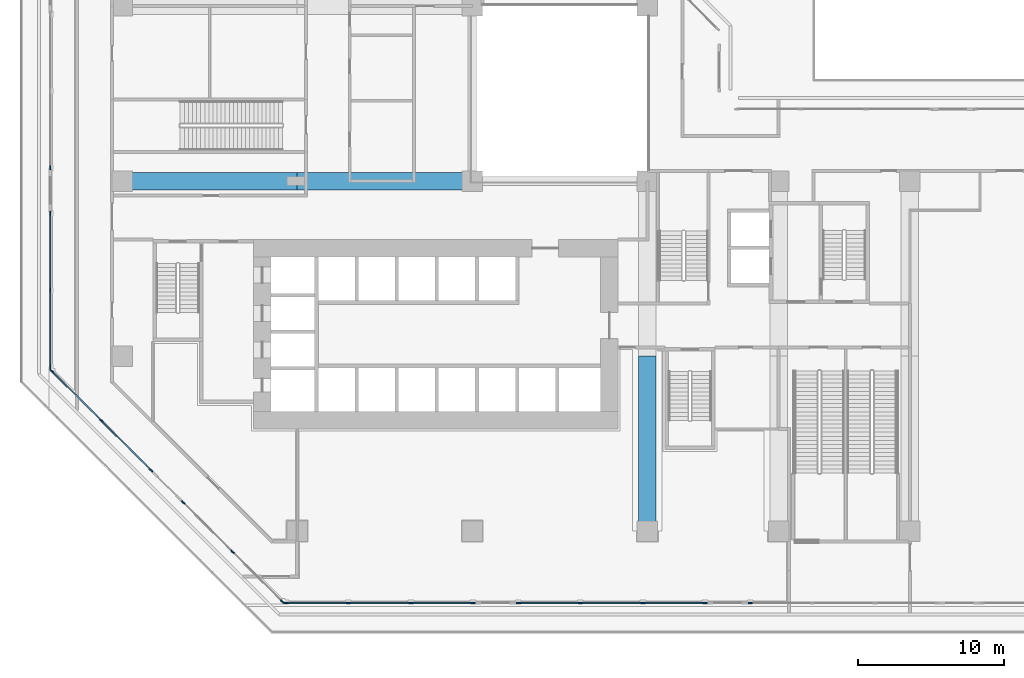
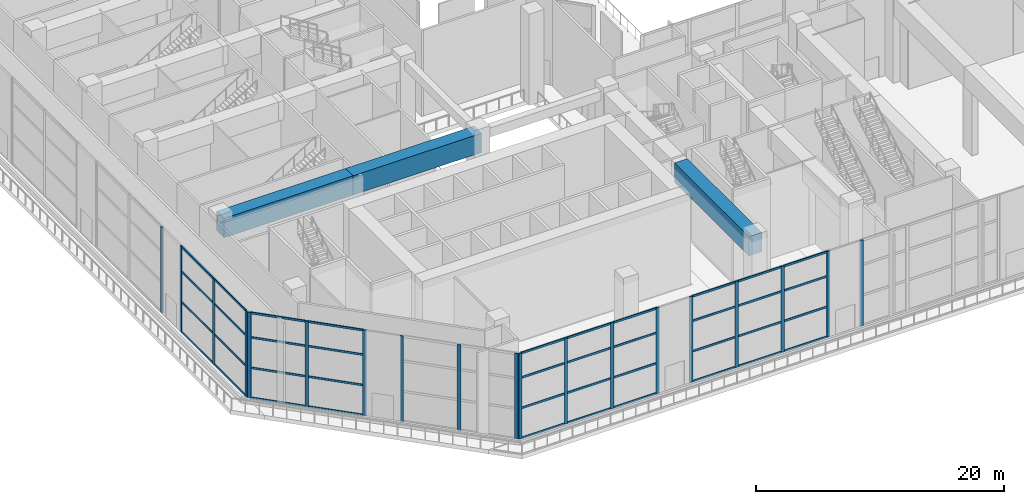
# One storey, part 2 of 28: 59 members, 3 beams, 7 elements without a shape of their own.
"""IFC4 building model written with IfcOpenShell, lengths in metres."""

from ifc_helpers import new_model, si_unit, direction, frame, frame_2d, origin, origin_2d, place, context, subcontext, project, spatial, rectangle, extrude, material, layer, layer_set, material_profile, profile_set, type_object, element, aggregate, save


model = new_model("IFC4")

# Units and contexts
model_context = context("Model", 3, precision=1e-05, world=origin(), true_north=direction((0.0, 1.0)))
body_context = subcontext(model_context, "Body", "Model", "MODEL_VIEW")
ifc_project = project(units=[si_unit("LENGTHUNIT", "METRE"), si_unit("AREAUNIT", "SQUARE_METRE"), si_unit("VOLUMEUNIT", "CUBIC_METRE"), si_unit("PLANEANGLEUNIT", "RADIAN"), si_unit("MASSUNIT", "GRAM", prefix="KILO")], contexts=[model_context])

# Site, building, storey
site_placement = place(None, origin())
site = spatial("IfcSite", under=ifc_project, at=site_placement, CompositionType="ELEMENT")
building_placement = place(site_placement, origin())
building = spatial("IfcBuilding", under=site, at=building_placement, Name="Chenar Terraces", CompositionType="ELEMENT")
storey_placement = place(building_placement, frame((0.0, 0.0, 26.39990234375)))
storey = spatial("IfcBuildingStorey", under=building, at=storey_placement, Name="L05", CompositionType="ELEMENT", Elevation=26.39990234375)

# Curtain wall, member
ifc_material_1 = material(Name="Aluminium framed glazing", Category="aluminium")
ifc_layer = layer(ifc_material_1, 0.14990234375)
ifc_layer_set = layer_set([ifc_layer], Name="Aluminium framed glazing")
curtain_wall_type = type_object("IfcCurtainWallType", Name="Hall curtain wall", PredefinedType="NOTDEFINED", material=ifc_layer_set)
placement = place(storey_placement, origin())
curtain_wall_1 = element("IfcCurtainWall", 1, at=placement, inside=storey, type_object=curtain_wall_type, Name="Hall curtain wall", PredefinedType="NOTDEFINED")
ifc_material_2 = material(Name="Aluminium", Category="aluminium")
ifc_material_profile_1 = material_profile(ifc_material_2, rectangle(XDim=0.090087890625, YDim=0.300048828125, at=origin_2d()), Name="Hall glazing mullion 90 x 300")
ifc_profile_set_1 = profile_set([ifc_material_profile_1], Name="Aluminium")
member_type_1 = type_object("IfcMemberType", Name="Hall glazing mullion 90 x 300", PredefinedType="MULLION", material=ifc_profile_set_1)
member_1_placement = place(storey_placement, frame((-4.925048828125, 24.90771484375, 0.0), z_axis=(0.0, 0.0, 1.0), x_axis=(1.0, 0.0, 0.0)))
member_1 = element("IfcMember", 2, at=member_1_placement, type_object=member_type_1, Name="CW5-10c2 mullion 3", PredefinedType="MULLION", context=body_context, shape_type="SweptSolid", body=[
    extrude(rectangle(XDim=0.090087890625, YDim=0.300048828125, at=origin_2d()), origin(), (0.0, 0.0, 1.0), 8.4501953125),
])
aggregate(curtain_wall_1, [member_1])

# Curtain wall, members
curtain_wall_2 = element("IfcCurtainWall", 3, at=placement, inside=storey, type_object=curtain_wall_type, Name="Hall curtain wall", PredefinedType="NOTDEFINED")
member_2_placement = place(storey_placement, frame((-4.925048828125, 21.792724609375, 0.0), z_axis=(0.0, 0.0, 1.0), x_axis=(1.0, 0.0, 0.0)))
member_2 = element("IfcMember", 4, at=member_2_placement, type_object=member_type_1, Name="CW5-10c3 mullion 1", PredefinedType="MULLION", context=body_context, shape_type="SweptSolid", body=[
    extrude(rectangle(XDim=0.090087890625, YDim=0.300048828125, at=origin_2d()), origin(), (0.0, 0.0, 1.0), 8.4501953125),
])
member_3_placement = place(storey_placement, frame((-4.925048828125, 16.51904296875, 0.0), z_axis=(0.0, 0.0, 1.0), x_axis=(1.0, 0.0, 0.0)))
member_3 = element("IfcMember", 5, at=member_3_placement, type_object=member_type_1, Name="CW5-10c3 mullion 2", PredefinedType="MULLION", context=body_context, shape_type="SweptSolid", body=[
    extrude(rectangle(XDim=0.090087890625, YDim=0.300048828125, at=origin_2d()), origin(), (0.0, 0.0, 1.0), 8.4501953125),
])
member_4_placement = place(storey_placement, frame((-4.925048828125, 11.245361328125, 0.0), z_axis=(0.0, 0.0, 1.0), x_axis=(1.0, 0.0, 0.0)))
member_4 = element("IfcMember", 6, at=member_4_placement, type_object=member_type_1, Name="CW5-10c3 mullion 3", PredefinedType="MULLION", context=body_context, shape_type="SweptSolid", body=[
    extrude(rectangle(XDim=0.090087890625, YDim=0.300048828125, at=origin_2d()), origin(), (0.0, 0.0, 1.0), 8.4501953125),
])

curtain_wall_3 = element("IfcCurtainWall", 7, at=placement, inside=storey, type_object=curtain_wall_type, Name="Hall curtain wall", PredefinedType="NOTDEFINED")
member_5_placement = place(storey_placement, frame((-4.80908203125, 10.96533203125, 0.0), z_axis=(0.0, 0.0, 1.0), x_axis=(0.707106781187, 0.707106781187, 0.0)))
member_5 = element("IfcMember", 8, at=member_5_placement, type_object=member_type_1, Name="CW5-11c0 mullion 1", PredefinedType="MULLION", context=body_context, shape_type="SweptSolid", body=[
    extrude(rectangle(XDim=0.090087890625, YDim=0.300048828125, at=origin_2d()), origin(), (0.0, 0.0, 1.0), 8.4501953125),
])
member_6_placement = place(storey_placement, frame((-1.416015625, 7.572509765625, 0.0), z_axis=(0.0, 0.0, 1.0), x_axis=(0.707106781187, 0.707106781187, 0.0)))
member_6 = element("IfcMember", 9, at=member_6_placement, type_object=member_type_1, Name="CW5-11c0 mullion 2", PredefinedType="MULLION", context=body_context, shape_type="SweptSolid", body=[
    extrude(rectangle(XDim=0.090087890625, YDim=0.300048828125, at=origin_2d()), origin(), (0.0, 0.0, 1.0), 8.4501953125),
])
member_7_placement = place(storey_placement, frame((1.976806640625, 4.179443359375, 0.0), z_axis=(0.0, 0.0, 1.0), x_axis=(0.707106781187, 0.707106781187, 0.0)))
member_7 = element("IfcMember", 10, at=member_7_placement, type_object=member_type_1, Name="CW5-11c0 mullion 3", PredefinedType="MULLION", context=body_context, shape_type="SweptSolid", body=[
    extrude(rectangle(XDim=0.090087890625, YDim=0.300048828125, at=origin_2d()), origin(), (0.0, 0.0, 1.0), 8.4501953125),
])

curtain_wall_4 = element("IfcCurtainWall", 11, at=placement, inside=storey, type_object=curtain_wall_type, Name="Hall curtain wall", PredefinedType="NOTDEFINED")
member_8_placement = place(storey_placement, frame((4.179443359375, 1.976806640625, 0.0), z_axis=(0.0, 0.0, 1.0), x_axis=(0.707106781187, 0.707106781187, 0.0)))
member_8 = element("IfcMember", 12, at=member_8_placement, type_object=member_type_1, Name="CW5-11c1 mullion 1", PredefinedType="MULLION", context=body_context, shape_type="SweptSolid", body=[
    extrude(rectangle(XDim=0.090087890625, YDim=0.300048828125, at=origin_2d()), origin(), (0.0, 0.0, 1.0), 8.4501953125),
])
member_9_placement = place(storey_placement, frame((7.572509765625, -1.416015625, 0.0), z_axis=(0.0, 0.0, 1.0), x_axis=(0.707106781187, 0.707106781187, 0.0)))
member_9 = element("IfcMember", 13, at=member_9_placement, type_object=member_type_1, Name="CW5-11c1 mullion 2", PredefinedType="MULLION", context=body_context, shape_type="SweptSolid", body=[
    extrude(rectangle(XDim=0.090087890625, YDim=0.300048828125, at=origin_2d()), origin(), (0.0, 0.0, 1.0), 8.4501953125),
])
member_10_placement = place(storey_placement, frame((10.96533203125, -4.80908203125, 0.0), z_axis=(0.0, 0.0, 1.0), x_axis=(0.707106781187, 0.707106781187, 0.0)))
member_10 = element("IfcMember", 14, at=member_10_placement, type_object=member_type_1, Name="CW5-11c1 mullion 3", PredefinedType="MULLION", context=body_context, shape_type="SweptSolid", body=[
    extrude(rectangle(XDim=0.090087890625, YDim=0.300048828125, at=origin_2d()), origin(), (0.0, 0.0, 1.0), 8.4501953125),
])
aggregate(curtain_wall_4, [member_8, member_9, member_10])

curtain_wall_5 = element("IfcCurtainWall", 15, at=placement, inside=storey, type_object=curtain_wall_type, Name="Hall curtain wall", PredefinedType="NOTDEFINED")
member_11_placement = place(storey_placement, frame((11.245361328125, -4.925048828125, 0.0), z_axis=(0.0, 0.0, 1.0), x_axis=(0.0, 1.0, 0.0)))
member_11 = element("IfcMember", 16, at=member_11_placement, type_object=member_type_1, Name="CW5-12c0 mullion 1", PredefinedType="MULLION", context=body_context, shape_type="SweptSolid", body=[
    extrude(rectangle(XDim=0.090087890625, YDim=0.300048828125, at=origin_2d()), origin(), (0.0, 0.0, 1.0), 8.4501953125),
])
member_12_placement = place(storey_placement, frame((15.49609375, -4.925048828125, 0.0), z_axis=(0.0, 0.0, 1.0), x_axis=(0.0, 1.0, 0.0)))
member_12 = element("IfcMember", 17, at=member_12_placement, type_object=member_type_1, Name="CW5-12c0 mullion 2", PredefinedType="MULLION", context=body_context, shape_type="SweptSolid", body=[
    extrude(rectangle(XDim=0.090087890625, YDim=0.300048828125, at=origin_2d()), origin(), (0.0, 0.0, 1.0), 8.4501953125),
])
member_13_placement = place(storey_placement, frame((19.791748046875, -4.925048828125, 0.0), z_axis=(0.0, 0.0, 1.0), x_axis=(0.0, 1.0, 0.0)))
member_13 = element("IfcMember", 18, at=member_13_placement, type_object=member_type_1, Name="CW5-12c0 mullion 3", PredefinedType="MULLION", context=body_context, shape_type="SweptSolid", body=[
    extrude(rectangle(XDim=0.090087890625, YDim=0.300048828125, at=origin_2d()), origin(), (0.0, 0.0, 1.0), 8.4501953125),
])
member_14_placement = place(storey_placement, frame((24.042724609375, -4.925048828125, 0.0), z_axis=(0.0, 0.0, 1.0), x_axis=(0.0, 1.0, 0.0)))
member_14 = element("IfcMember", 19, at=member_14_placement, type_object=member_type_1, Name="CW5-12c0 mullion 4", PredefinedType="MULLION", context=body_context, shape_type="SweptSolid", body=[
    extrude(rectangle(XDim=0.090087890625, YDim=0.300048828125, at=origin_2d()), origin(), (0.0, 0.0, 1.0), 8.4501953125),
])

curtain_wall_6 = element("IfcCurtainWall", 20, at=placement, inside=storey, type_object=curtain_wall_type, Name="Hall curtain wall", PredefinedType="NOTDEFINED")
member_15_placement = place(storey_placement, frame((27.15771484375, -4.925048828125, 0.0), z_axis=(0.0, 0.0, 1.0), x_axis=(0.0, 1.0, 0.0)))
member_15 = element("IfcMember", 21, at=member_15_placement, type_object=member_type_1, Name="CW5-12c1 mullion 1", PredefinedType="MULLION", context=body_context, shape_type="SweptSolid", body=[
    extrude(rectangle(XDim=0.090087890625, YDim=0.300048828125, at=origin_2d()), origin(), (0.0, 0.0, 1.0), 8.4501953125),
])
member_16_placement = place(storey_placement, frame((31.404296875, -4.925048828125, 0.0), z_axis=(0.0, 0.0, 1.0), x_axis=(0.0, 1.0, 0.0)))
member_16 = element("IfcMember", 22, at=member_16_placement, type_object=member_type_1, Name="CW5-12c1 mullion 2", PredefinedType="MULLION", context=body_context, shape_type="SweptSolid", body=[
    extrude(rectangle(XDim=0.090087890625, YDim=0.300048828125, at=origin_2d()), origin(), (0.0, 0.0, 1.0), 8.4501953125),
])
member_17_placement = place(storey_placement, frame((35.69580078125, -4.925048828125, 0.0), z_axis=(0.0, 0.0, 1.0), x_axis=(0.0, 1.0, 0.0)))
member_17 = element("IfcMember", 23, at=member_17_placement, type_object=member_type_1, Name="CW5-12c1 mullion 3", PredefinedType="MULLION", context=body_context, shape_type="SweptSolid", body=[
    extrude(rectangle(XDim=0.090087890625, YDim=0.300048828125, at=origin_2d()), origin(), (0.0, 0.0, 1.0), 8.4501953125),
])
member_18_placement = place(storey_placement, frame((39.9423828125, -4.925048828125, 0.0), z_axis=(0.0, 0.0, 1.0), x_axis=(0.0, 1.0, 0.0)))
member_18 = element("IfcMember", 24, at=member_18_placement, type_object=member_type_1, Name="CW5-12c1 mullion 4", PredefinedType="MULLION", context=body_context, shape_type="SweptSolid", body=[
    extrude(rectangle(XDim=0.090087890625, YDim=0.300048828125, at=origin_2d()), origin(), (0.0, 0.0, 1.0), 8.4501953125),
])

# Curtain wall, member
curtain_wall_7 = element("IfcCurtainWall", 25, at=placement, inside=storey, type_object=curtain_wall_type, Name="Hall curtain wall", PredefinedType="NOTDEFINED")
member_19_placement = place(storey_placement, frame((43.0576171875, -4.925048828125, 0.0), z_axis=(0.0, 0.0, 1.0), x_axis=(0.0, 1.0, 0.0)))
member_19 = element("IfcMember", 26, at=member_19_placement, type_object=member_type_1, Name="CW5-12c2 mullion 1", PredefinedType="MULLION", context=body_context, shape_type="SweptSolid", body=[
    extrude(rectangle(XDim=0.090087890625, YDim=0.300048828125, at=origin_2d()), origin(), (0.0, 0.0, 1.0), 8.4501953125),
])
aggregate(curtain_wall_7, [member_19])

# Member
ifc_material_3 = material(Name="Aluminium", Category="aluminium")
ifc_material_profile_2 = material_profile(ifc_material_3, rectangle(XDim=0.090087890625, YDim=0.199951171875, at=origin_2d()), Name="Hall glazing transom 90 x 200")
ifc_profile_set_2 = profile_set([ifc_material_profile_2], Name="Aluminium")
member_type_2 = type_object("IfcMemberType", Name="Hall glazing transom 90 x 200", PredefinedType="USERDEFINED", material=ifc_profile_set_2)
member_20_placement = place(storey_placement, frame((-4.925048828125, 21.74755859375, 0.045166015625), z_axis=(0.0, -1.0, 0.0), x_axis=(1.0, 0.0, 0.0)))
member_20 = element("IfcMember", 27, at=member_20_placement, type_object=member_type_2, Name="CW5-10c3 transom 1.1", ObjectType="TRANSOM", PredefinedType="USERDEFINED", context=body_context, shape_type="SweptSolid", body=[
    extrude(rectangle(XDim=0.090087890625, YDim=0.199951171875, at=origin_2d()), origin(), (0.0, 0.0, 1.0), 5.18359375),
])

member_21_placement = place(storey_placement, frame((-4.925048828125, 21.74755859375, 3.0), z_axis=(0.0, -1.0, 0.0), x_axis=(1.0, 0.0, 0.0)))
member_21 = element("IfcMember", 28, at=member_21_placement, type_object=member_type_2, Name="CW5-10c3 transom 1.2", ObjectType="TRANSOM", PredefinedType="USERDEFINED", context=body_context, shape_type="SweptSolid", body=[
    extrude(rectangle(XDim=0.090087890625, YDim=0.199951171875, at=origin_2d()), origin(), (0.0, 0.0, 1.0), 5.18359375),
])

member_22_placement = place(storey_placement, frame((-4.925048828125, 21.74755859375, 6.0), z_axis=(0.0, -1.0, 0.0), x_axis=(1.0, 0.0, 0.0)))
member_22 = element("IfcMember", 29, at=member_22_placement, type_object=member_type_2, Name="CW5-10c3 transom 1.3", ObjectType="TRANSOM", PredefinedType="USERDEFINED", context=body_context, shape_type="SweptSolid", body=[
    extrude(rectangle(XDim=0.090087890625, YDim=0.199951171875, at=origin_2d()), origin(), (0.0, 0.0, 1.0), 5.18359375),
])

member_23_placement = place(storey_placement, frame((-4.925048828125, 21.74755859375, 8.405029296875), z_axis=(0.0, -1.0, 0.0), x_axis=(1.0, 0.0, 0.0)))
member_23 = element("IfcMember", 30, at=member_23_placement, type_object=member_type_2, Name="CW5-10c3 transom 1.4", ObjectType="TRANSOM", PredefinedType="USERDEFINED", context=body_context, shape_type="SweptSolid", body=[
    extrude(rectangle(XDim=0.090087890625, YDim=0.199951171875, at=origin_2d()), origin(), (0.0, 0.0, 1.0), 5.18359375),
])

member_24_placement = place(storey_placement, frame((-4.925048828125, 16.473876953125, 0.045166015625), z_axis=(0.0, -1.0, 0.0), x_axis=(1.0, 0.0, 0.0)))
member_24 = element("IfcMember", 31, at=member_24_placement, type_object=member_type_2, Name="CW5-10c3 transom 2.1", ObjectType="TRANSOM", PredefinedType="USERDEFINED", context=body_context, shape_type="SweptSolid", body=[
    extrude(rectangle(XDim=0.090087890625, YDim=0.199951171875, at=origin_2d()), origin(), (0.0, 0.0, 1.0), 5.18359375),
])

member_25_placement = place(storey_placement, frame((-4.925048828125, 16.473876953125, 3.0), z_axis=(0.0, -1.0, 0.0), x_axis=(1.0, 0.0, 0.0)))
member_25 = element("IfcMember", 32, at=member_25_placement, type_object=member_type_2, Name="CW5-10c3 transom 2.2", ObjectType="TRANSOM", PredefinedType="USERDEFINED", context=body_context, shape_type="SweptSolid", body=[
    extrude(rectangle(XDim=0.090087890625, YDim=0.199951171875, at=origin_2d()), origin(), (0.0, 0.0, 1.0), 5.18359375),
])

member_26_placement = place(storey_placement, frame((-4.925048828125, 16.473876953125, 6.0), z_axis=(0.0, -1.0, 0.0), x_axis=(1.0, 0.0, 0.0)))
member_26 = element("IfcMember", 33, at=member_26_placement, type_object=member_type_2, Name="CW5-10c3 transom 2.3", ObjectType="TRANSOM", PredefinedType="USERDEFINED", context=body_context, shape_type="SweptSolid", body=[
    extrude(rectangle(XDim=0.090087890625, YDim=0.199951171875, at=origin_2d()), origin(), (0.0, 0.0, 1.0), 5.18359375),
])

member_27_placement = place(storey_placement, frame((-4.925048828125, 16.473876953125, 8.405029296875), z_axis=(0.0, -1.0, 0.0), x_axis=(1.0, 0.0, 0.0)))
member_27 = element("IfcMember", 34, at=member_27_placement, type_object=member_type_2, Name="CW5-10c3 transom 2.4", ObjectType="TRANSOM", PredefinedType="USERDEFINED", context=body_context, shape_type="SweptSolid", body=[
    extrude(rectangle(XDim=0.090087890625, YDim=0.199951171875, at=origin_2d()), origin(), (0.0, 0.0, 1.0), 5.18359375),
])

aggregate(curtain_wall_2, [member_2, member_3, member_4, member_20, member_21, member_22, member_23, member_24, member_25, member_26, member_27])

member_28_placement = place(storey_placement, frame((-4.77734375, 10.93359375, 0.045166015625), z_axis=(0.707106781187, -0.707106781187, 0.0), x_axis=(0.707106781187, 0.707106781187, 0.0)))
member_28 = element("IfcMember", 35, at=member_28_placement, type_object=member_type_2, Name="CW5-11c0 transom 1.1", ObjectType="TRANSOM", PredefinedType="USERDEFINED", context=body_context, shape_type="SweptSolid", body=[
    extrude(rectangle(XDim=0.090087890625, YDim=0.199951171875, at=origin_2d()), origin(), (0.0, 0.0, 1.0), 4.70849609375),
])

member_29_placement = place(storey_placement, frame((-4.77734375, 10.93359375, 3.0), z_axis=(0.707106781187, -0.707106781187, 0.0), x_axis=(0.707106781187, 0.707106781187, 0.0)))
member_29 = element("IfcMember", 36, at=member_29_placement, type_object=member_type_2, Name="CW5-11c0 transom 1.2", ObjectType="TRANSOM", PredefinedType="USERDEFINED", context=body_context, shape_type="SweptSolid", body=[
    extrude(rectangle(XDim=0.090087890625, YDim=0.199951171875, at=origin_2d()), origin(), (0.0, 0.0, 1.0), 4.70849609375),
])

member_30_placement = place(storey_placement, frame((-4.77734375, 10.93359375, 6.0), z_axis=(0.707106781187, -0.707106781187, 0.0), x_axis=(0.707106781187, 0.707106781187, 0.0)))
member_30 = element("IfcMember", 37, at=member_30_placement, type_object=member_type_2, Name="CW5-11c0 transom 1.3", ObjectType="TRANSOM", PredefinedType="USERDEFINED", context=body_context, shape_type="SweptSolid", body=[
    extrude(rectangle(XDim=0.090087890625, YDim=0.199951171875, at=origin_2d()), origin(), (0.0, 0.0, 1.0), 4.70849609375),
])

member_31_placement = place(storey_placement, frame((-4.77734375, 10.93359375, 8.405029296875), z_axis=(0.707106781187, -0.707106781187, 0.0), x_axis=(0.707106781187, 0.707106781187, 0.0)))
member_31 = element("IfcMember", 38, at=member_31_placement, type_object=member_type_2, Name="CW5-11c0 transom 1.4", ObjectType="TRANSOM", PredefinedType="USERDEFINED", context=body_context, shape_type="SweptSolid", body=[
    extrude(rectangle(XDim=0.090087890625, YDim=0.199951171875, at=origin_2d()), origin(), (0.0, 0.0, 1.0), 4.70849609375),
])

member_32_placement = place(storey_placement, frame((-1.38427734375, 7.540771484375, 0.045166015625), z_axis=(0.707106781187, -0.707106781187, 0.0), x_axis=(0.707106781187, 0.707106781187, 0.0)))
member_32 = element("IfcMember", 39, at=member_32_placement, type_object=member_type_2, Name="CW5-11c0 transom 2.1", ObjectType="TRANSOM", PredefinedType="USERDEFINED", context=body_context, shape_type="SweptSolid", body=[
    extrude(rectangle(XDim=0.090087890625, YDim=0.199951171875, at=origin_2d()), origin(), (0.0, 0.0, 1.0), 4.70849609375),
])

member_33_placement = place(storey_placement, frame((-1.38427734375, 7.540771484375, 3.0), z_axis=(0.707106781187, -0.707106781187, 0.0), x_axis=(0.707106781187, 0.707106781187, 0.0)))
member_33 = element("IfcMember", 40, at=member_33_placement, type_object=member_type_2, Name="CW5-11c0 transom 2.2", ObjectType="TRANSOM", PredefinedType="USERDEFINED", context=body_context, shape_type="SweptSolid", body=[
    extrude(rectangle(XDim=0.090087890625, YDim=0.199951171875, at=origin_2d()), origin(), (0.0, 0.0, 1.0), 4.70849609375),
])

member_34_placement = place(storey_placement, frame((-1.38427734375, 7.540771484375, 6.0), z_axis=(0.707106781187, -0.707106781187, 0.0), x_axis=(0.707106781187, 0.707106781187, 0.0)))
member_34 = element("IfcMember", 41, at=member_34_placement, type_object=member_type_2, Name="CW5-11c0 transom 2.3", ObjectType="TRANSOM", PredefinedType="USERDEFINED", context=body_context, shape_type="SweptSolid", body=[
    extrude(rectangle(XDim=0.090087890625, YDim=0.199951171875, at=origin_2d()), origin(), (0.0, 0.0, 1.0), 4.70849609375),
])

member_35_placement = place(storey_placement, frame((-1.38427734375, 7.540771484375, 8.405029296875), z_axis=(0.707106781187, -0.707106781187, 0.0), x_axis=(0.707106781187, 0.707106781187, 0.0)))
member_35 = element("IfcMember", 42, at=member_35_placement, type_object=member_type_2, Name="CW5-11c0 transom 2.4", ObjectType="TRANSOM", PredefinedType="USERDEFINED", context=body_context, shape_type="SweptSolid", body=[
    extrude(rectangle(XDim=0.090087890625, YDim=0.199951171875, at=origin_2d()), origin(), (0.0, 0.0, 1.0), 4.70849609375),
])

aggregate(curtain_wall_3, [member_5, member_6, member_7, member_28, member_29, member_30, member_31, member_32, member_33, member_34, member_35])

member_36_placement = place(storey_placement, frame((11.290283203125, -4.925048828125, 0.045166015625), z_axis=(1.0, 0.0, 0.0), x_axis=(0.0, 1.0, 0.0)))
member_36 = element("IfcMember", 43, at=member_36_placement, type_object=member_type_2, Name="CW5-12c0 transom 1.1", ObjectType="TRANSOM", PredefinedType="USERDEFINED", context=body_context, shape_type="SweptSolid", body=[
    extrude(rectangle(XDim=0.090087890625, YDim=0.199951171875, at=origin_2d()), origin(), (0.0, 0.0, 1.0), 4.160888671875),
])

member_37_placement = place(storey_placement, frame((11.290283203125, -4.925048828125, 3.0), z_axis=(1.0, 0.0, 0.0), x_axis=(0.0, 1.0, 0.0)))
member_37 = element("IfcMember", 44, at=member_37_placement, type_object=member_type_2, Name="CW5-12c0 transom 1.2", ObjectType="TRANSOM", PredefinedType="USERDEFINED", context=body_context, shape_type="SweptSolid", body=[
    extrude(rectangle(XDim=0.090087890625, YDim=0.199951171875, at=origin_2d()), origin(), (0.0, 0.0, 1.0), 4.160888671875),
])

member_38_placement = place(storey_placement, frame((11.290283203125, -4.925048828125, 6.0), z_axis=(1.0, 0.0, 0.0), x_axis=(0.0, 1.0, 0.0)))
member_38 = element("IfcMember", 45, at=member_38_placement, type_object=member_type_2, Name="CW5-12c0 transom 1.3", ObjectType="TRANSOM", PredefinedType="USERDEFINED", context=body_context, shape_type="SweptSolid", body=[
    extrude(rectangle(XDim=0.090087890625, YDim=0.199951171875, at=origin_2d()), origin(), (0.0, 0.0, 1.0), 4.160888671875),
])

member_39_placement = place(storey_placement, frame((11.290283203125, -4.925048828125, 8.405029296875), z_axis=(1.0, 0.0, 0.0), x_axis=(0.0, 1.0, 0.0)))
member_39 = element("IfcMember", 46, at=member_39_placement, type_object=member_type_2, Name="CW5-12c0 transom 1.4", ObjectType="TRANSOM", PredefinedType="USERDEFINED", context=body_context, shape_type="SweptSolid", body=[
    extrude(rectangle(XDim=0.090087890625, YDim=0.199951171875, at=origin_2d()), origin(), (0.0, 0.0, 1.0), 4.160888671875),
])

member_40_placement = place(storey_placement, frame((15.541015625, -4.925048828125, 0.045166015625), z_axis=(1.0, 0.0, 0.0), x_axis=(0.0, 1.0, 0.0)))
member_40 = element("IfcMember", 47, at=member_40_placement, type_object=member_type_2, Name="CW5-12c0 transom 2.1", ObjectType="TRANSOM", PredefinedType="USERDEFINED", context=body_context, shape_type="SweptSolid", body=[
    extrude(rectangle(XDim=0.090087890625, YDim=0.199951171875, at=origin_2d()), origin(), (0.0, 0.0, 1.0), 4.205810546875),
])

member_41_placement = place(storey_placement, frame((15.541015625, -4.925048828125, 3.0), z_axis=(1.0, 0.0, 0.0), x_axis=(0.0, 1.0, 0.0)))
member_41 = element("IfcMember", 48, at=member_41_placement, type_object=member_type_2, Name="CW5-12c0 transom 2.2", ObjectType="TRANSOM", PredefinedType="USERDEFINED", context=body_context, shape_type="SweptSolid", body=[
    extrude(rectangle(XDim=0.090087890625, YDim=0.199951171875, at=origin_2d()), origin(), (0.0, 0.0, 1.0), 4.205810546875),
])

member_42_placement = place(storey_placement, frame((15.541015625, -4.925048828125, 6.0), z_axis=(1.0, 0.0, 0.0), x_axis=(0.0, 1.0, 0.0)))
member_42 = element("IfcMember", 49, at=member_42_placement, type_object=member_type_2, Name="CW5-12c0 transom 2.3", ObjectType="TRANSOM", PredefinedType="USERDEFINED", context=body_context, shape_type="SweptSolid", body=[
    extrude(rectangle(XDim=0.090087890625, YDim=0.199951171875, at=origin_2d()), origin(), (0.0, 0.0, 1.0), 4.205810546875),
])

member_43_placement = place(storey_placement, frame((15.541015625, -4.925048828125, 8.405029296875), z_axis=(1.0, 0.0, 0.0), x_axis=(0.0, 1.0, 0.0)))
member_43 = element("IfcMember", 50, at=member_43_placement, type_object=member_type_2, Name="CW5-12c0 transom 2.4", ObjectType="TRANSOM", PredefinedType="USERDEFINED", context=body_context, shape_type="SweptSolid", body=[
    extrude(rectangle(XDim=0.090087890625, YDim=0.199951171875, at=origin_2d()), origin(), (0.0, 0.0, 1.0), 4.205810546875),
])

member_44_placement = place(storey_placement, frame((19.8369140625, -4.925048828125, 0.045166015625), z_axis=(1.0, 0.0, 0.0), x_axis=(0.0, 1.0, 0.0)))
member_44 = element("IfcMember", 51, at=member_44_placement, type_object=member_type_2, Name="CW5-12c0 transom 3.1", ObjectType="TRANSOM", PredefinedType="USERDEFINED", context=body_context, shape_type="SweptSolid", body=[
    extrude(rectangle(XDim=0.090087890625, YDim=0.199951171875, at=origin_2d()), origin(), (0.0, 0.0, 1.0), 4.16064453125),
])

member_45_placement = place(storey_placement, frame((19.8369140625, -4.925048828125, 3.0), z_axis=(1.0, 0.0, 0.0), x_axis=(0.0, 1.0, 0.0)))
member_45 = element("IfcMember", 52, at=member_45_placement, type_object=member_type_2, Name="CW5-12c0 transom 3.2", ObjectType="TRANSOM", PredefinedType="USERDEFINED", context=body_context, shape_type="SweptSolid", body=[
    extrude(rectangle(XDim=0.090087890625, YDim=0.199951171875, at=origin_2d()), origin(), (0.0, 0.0, 1.0), 4.16064453125),
])

member_46_placement = place(storey_placement, frame((19.8369140625, -4.925048828125, 6.0), z_axis=(1.0, 0.0, 0.0), x_axis=(0.0, 1.0, 0.0)))
member_46 = element("IfcMember", 53, at=member_46_placement, type_object=member_type_2, Name="CW5-12c0 transom 3.3", ObjectType="TRANSOM", PredefinedType="USERDEFINED", context=body_context, shape_type="SweptSolid", body=[
    extrude(rectangle(XDim=0.090087890625, YDim=0.199951171875, at=origin_2d()), origin(), (0.0, 0.0, 1.0), 4.16064453125),
])

member_47_placement = place(storey_placement, frame((19.8369140625, -4.925048828125, 8.405029296875), z_axis=(1.0, 0.0, 0.0), x_axis=(0.0, 1.0, 0.0)))
member_47 = element("IfcMember", 54, at=member_47_placement, type_object=member_type_2, Name="CW5-12c0 transom 3.4", ObjectType="TRANSOM", PredefinedType="USERDEFINED", context=body_context, shape_type="SweptSolid", body=[
    extrude(rectangle(XDim=0.090087890625, YDim=0.199951171875, at=origin_2d()), origin(), (0.0, 0.0, 1.0), 4.16064453125),
])

aggregate(curtain_wall_5, [member_11, member_12, member_13, member_14, member_36, member_37, member_38, member_39, member_40, member_41, member_42, member_43, member_44, member_45, member_46, member_47])

member_48_placement = place(storey_placement, frame((27.20263671875, -4.925048828125, 0.045166015625), z_axis=(1.0, 0.0, 0.0), x_axis=(0.0, 1.0, 0.0)))
member_48 = element("IfcMember", 55, at=member_48_placement, type_object=member_type_2, Name="CW5-12c1 transom 1.1", ObjectType="TRANSOM", PredefinedType="USERDEFINED", context=body_context, shape_type="SweptSolid", body=[
    extrude(rectangle(XDim=0.090087890625, YDim=0.199951171875, at=origin_2d()), origin(), (0.0, 0.0, 1.0), 4.15673828125),
])

member_49_placement = place(storey_placement, frame((27.20263671875, -4.925048828125, 3.0), z_axis=(1.0, 0.0, 0.0), x_axis=(0.0, 1.0, 0.0)))
member_49 = element("IfcMember", 56, at=member_49_placement, type_object=member_type_2, Name="CW5-12c1 transom 1.2", ObjectType="TRANSOM", PredefinedType="USERDEFINED", context=body_context, shape_type="SweptSolid", body=[
    extrude(rectangle(XDim=0.090087890625, YDim=0.199951171875, at=origin_2d()), origin(), (0.0, 0.0, 1.0), 4.15673828125),
])

member_50_placement = place(storey_placement, frame((27.20263671875, -4.925048828125, 6.0), z_axis=(1.0, 0.0, 0.0), x_axis=(0.0, 1.0, 0.0)))
member_50 = element("IfcMember", 57, at=member_50_placement, type_object=member_type_2, Name="CW5-12c1 transom 1.3", ObjectType="TRANSOM", PredefinedType="USERDEFINED", context=body_context, shape_type="SweptSolid", body=[
    extrude(rectangle(XDim=0.090087890625, YDim=0.199951171875, at=origin_2d()), origin(), (0.0, 0.0, 1.0), 4.15673828125),
])

member_51_placement = place(storey_placement, frame((27.20263671875, -4.925048828125, 8.405029296875), z_axis=(1.0, 0.0, 0.0), x_axis=(0.0, 1.0, 0.0)))
member_51 = element("IfcMember", 58, at=member_51_placement, type_object=member_type_2, Name="CW5-12c1 transom 1.4", ObjectType="TRANSOM", PredefinedType="USERDEFINED", context=body_context, shape_type="SweptSolid", body=[
    extrude(rectangle(XDim=0.090087890625, YDim=0.199951171875, at=origin_2d()), origin(), (0.0, 0.0, 1.0), 4.15673828125),
])

member_52_placement = place(storey_placement, frame((31.44921875, -4.925048828125, 0.045166015625), z_axis=(1.0, 0.0, 0.0), x_axis=(0.0, 1.0, 0.0)))
member_52 = element("IfcMember", 59, at=member_52_placement, type_object=member_type_2, Name="CW5-12c1 transom 2.1", ObjectType="TRANSOM", PredefinedType="USERDEFINED", context=body_context, shape_type="SweptSolid", body=[
    extrude(rectangle(XDim=0.090087890625, YDim=0.199951171875, at=origin_2d()), origin(), (0.0, 0.0, 1.0), 4.20166015625),
])

member_53_placement = place(storey_placement, frame((31.44921875, -4.925048828125, 3.0), z_axis=(1.0, 0.0, 0.0), x_axis=(0.0, 1.0, 0.0)))
member_53 = element("IfcMember", 60, at=member_53_placement, type_object=member_type_2, Name="CW5-12c1 transom 2.2", ObjectType="TRANSOM", PredefinedType="USERDEFINED", context=body_context, shape_type="SweptSolid", body=[
    extrude(rectangle(XDim=0.090087890625, YDim=0.199951171875, at=origin_2d()), origin(), (0.0, 0.0, 1.0), 4.20166015625),
])

member_54_placement = place(storey_placement, frame((31.44921875, -4.925048828125, 6.0), z_axis=(1.0, 0.0, 0.0), x_axis=(0.0, 1.0, 0.0)))
member_54 = element("IfcMember", 61, at=member_54_placement, type_object=member_type_2, Name="CW5-12c1 transom 2.3", ObjectType="TRANSOM", PredefinedType="USERDEFINED", context=body_context, shape_type="SweptSolid", body=[
    extrude(rectangle(XDim=0.090087890625, YDim=0.199951171875, at=origin_2d()), origin(), (0.0, 0.0, 1.0), 4.20166015625),
])

member_55_placement = place(storey_placement, frame((31.44921875, -4.925048828125, 8.405029296875), z_axis=(1.0, 0.0, 0.0), x_axis=(0.0, 1.0, 0.0)))
member_55 = element("IfcMember", 62, at=member_55_placement, type_object=member_type_2, Name="CW5-12c1 transom 2.4", ObjectType="TRANSOM", PredefinedType="USERDEFINED", context=body_context, shape_type="SweptSolid", body=[
    extrude(rectangle(XDim=0.090087890625, YDim=0.199951171875, at=origin_2d()), origin(), (0.0, 0.0, 1.0), 4.20166015625),
])

member_56_placement = place(storey_placement, frame((35.740966796875, -4.925048828125, 0.045166015625), z_axis=(1.0, 0.0, 0.0), x_axis=(0.0, 1.0, 0.0)))
member_56 = element("IfcMember", 63, at=member_56_placement, type_object=member_type_2, Name="CW5-12c1 transom 3.1", ObjectType="TRANSOM", PredefinedType="USERDEFINED", context=body_context, shape_type="SweptSolid", body=[
    extrude(rectangle(XDim=0.090087890625, YDim=0.199951171875, at=origin_2d()), origin(), (0.0, 0.0, 1.0), 4.156494140625),
])

member_57_placement = place(storey_placement, frame((35.740966796875, -4.925048828125, 3.0), z_axis=(1.0, 0.0, 0.0), x_axis=(0.0, 1.0, 0.0)))
member_57 = element("IfcMember", 64, at=member_57_placement, type_object=member_type_2, Name="CW5-12c1 transom 3.2", ObjectType="TRANSOM", PredefinedType="USERDEFINED", context=body_context, shape_type="SweptSolid", body=[
    extrude(rectangle(XDim=0.090087890625, YDim=0.199951171875, at=origin_2d()), origin(), (0.0, 0.0, 1.0), 4.156494140625),
])

member_58_placement = place(storey_placement, frame((35.740966796875, -4.925048828125, 6.0), z_axis=(1.0, 0.0, 0.0), x_axis=(0.0, 1.0, 0.0)))
member_58 = element("IfcMember", 65, at=member_58_placement, type_object=member_type_2, Name="CW5-12c1 transom 3.3", ObjectType="TRANSOM", PredefinedType="USERDEFINED", context=body_context, shape_type="SweptSolid", body=[
    extrude(rectangle(XDim=0.090087890625, YDim=0.199951171875, at=origin_2d()), origin(), (0.0, 0.0, 1.0), 4.156494140625),
])

member_59_placement = place(storey_placement, frame((35.740966796875, -4.925048828125, 8.405029296875), z_axis=(1.0, 0.0, 0.0), x_axis=(0.0, 1.0, 0.0)))
member_59 = element("IfcMember", 66, at=member_59_placement, type_object=member_type_2, Name="CW5-12c1 transom 3.4", ObjectType="TRANSOM", PredefinedType="USERDEFINED", context=body_context, shape_type="SweptSolid", body=[
    extrude(rectangle(XDim=0.090087890625, YDim=0.199951171875, at=origin_2d()), origin(), (0.0, 0.0, 1.0), 4.156494140625),
])

aggregate(curtain_wall_6, [member_15, member_16, member_17, member_18, member_48, member_49, member_50, member_51, member_52, member_53, member_54, member_55, member_56, member_57, member_58, member_59])

# Beams
ifc_material_4 = material(Name="Concrete C60/75", Category="concrete")
ifc_material_profile_3 = material_profile(ifc_material_4, rectangle(XDim=1.199951171875, YDim=1.89990234375, at=origin_2d()), Name="RC 1200 x 1900")
ifc_profile_set_3 = profile_set([ifc_material_profile_3], Name="Concrete C60/75")
beam_type = type_object("IfcBeamType", Name="Transfer girder 1200 x 1900 Concrete C60/75", PredefinedType="BEAM", material=ifc_profile_set_3)
for number, where, z_axis, x_axis, name in (
    (67, (0.0, 24.0, 8.449951171875), (1.0, 0.0, 0.0), (0.0, 1.0, 0.0), "Transfer girder 6/G west"),
    (68, (12.0, 24.0, 8.449951171875), (1.0, 0.0, 0.0), (0.0, 1.0, 0.0), "Transfer girder 6/G east"),
    (69, (36.0, 0.0, 8.449951171875), (0.0, 1.0, 0.0), (-1.0, 0.0, 0.0), "Transfer girder 8/F south"),
):
    element("IfcBeam", number, at=place(storey_placement, frame(where, z_axis=z_axis, x_axis=x_axis)), inside=storey, type_object=beam_type, Name=name, PredefinedType="BEAM", context=body_context, shape_type="SweptSolid", body=[
        extrude(rectangle(XDim=1.199951171875, YDim=1.89990234375, at=frame_2d((0.0, -0.949951171875))), origin(), (0.0, 0.0, 1.0), 12.0),
    ])

save(model, "model.ifc")
